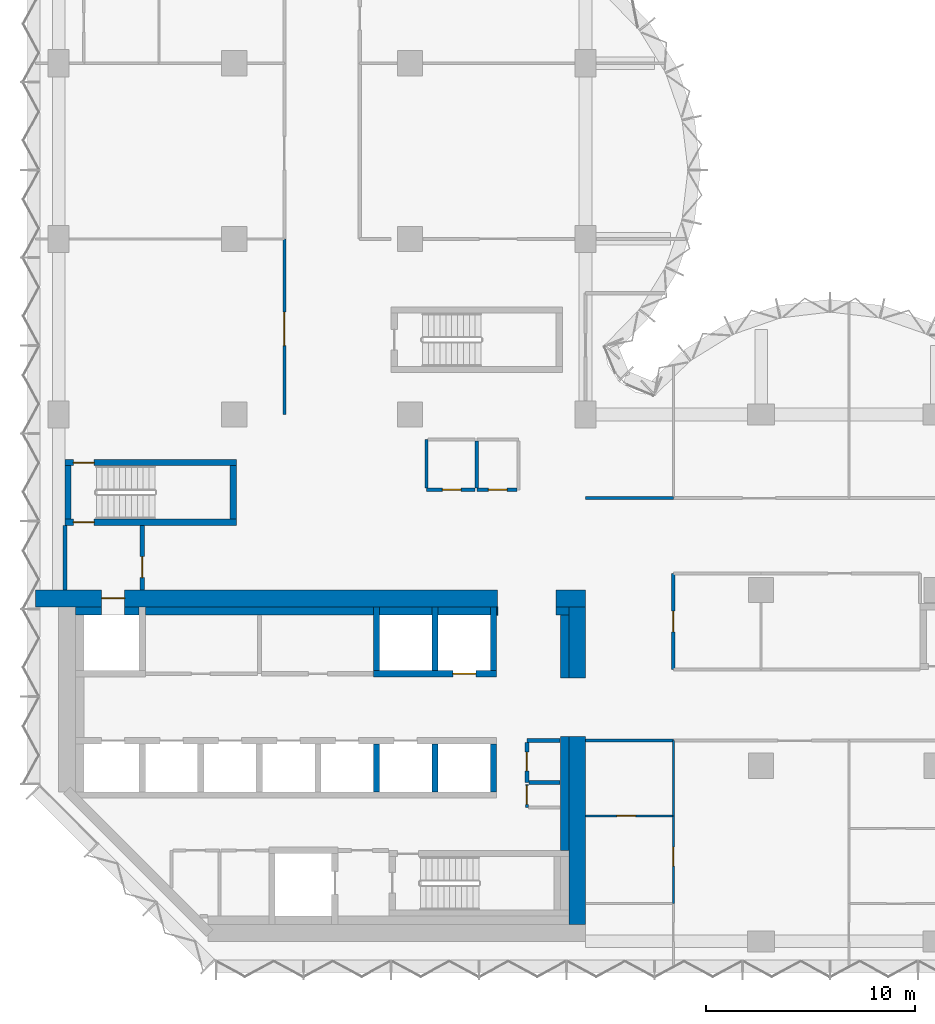
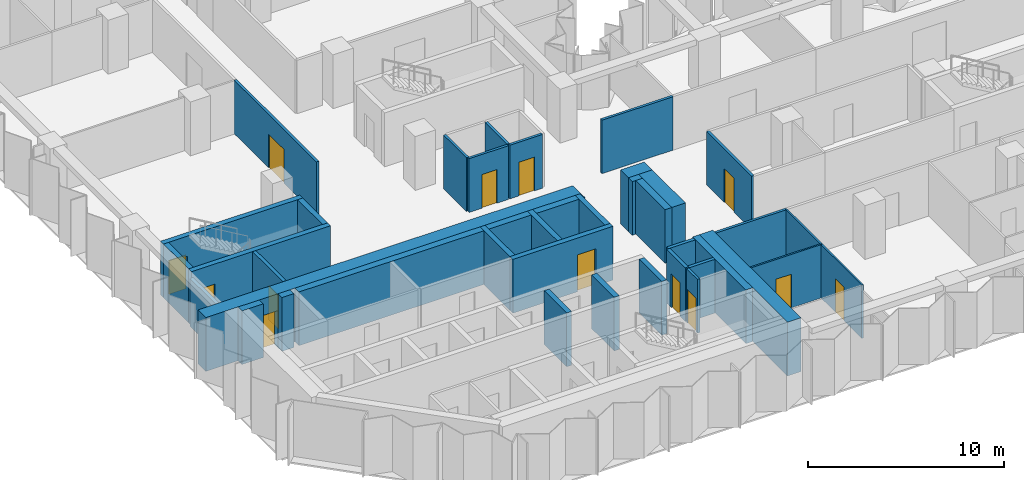
# One storey, part 8 of 13: 41 walls, 13 doors, 13 openings.
"""IFC4 building model written with IfcOpenShell, lengths in metres."""

from ifc_helpers import new_model, si_unit, direction, frame, frame_2d, origin, place, context, subcontext, project, spatial, rectangle, extrude, material, layer, layer_set, type_object, element, fill, save


model = new_model("IFC4")

# Units and contexts
model_context = context("Model", 3, precision=1e-05, world=origin(), true_north=direction((0.0, 1.0)))
body_context = subcontext(model_context, "Body", "Model", "MODEL_VIEW")
ifc_project = project(units=[si_unit("LENGTHUNIT", "METRE"), si_unit("AREAUNIT", "SQUARE_METRE"), si_unit("VOLUMEUNIT", "CUBIC_METRE"), si_unit("PLANEANGLEUNIT", "RADIAN"), si_unit("MASSUNIT", "GRAM", prefix="KILO")], contexts=[model_context])

# Site, building, storey
site_placement = place(None, origin())
site = spatial("IfcSite", under=ifc_project, at=site_placement, CompositionType="ELEMENT")
building_placement = place(site_placement, origin())
building = spatial("IfcBuilding", under=site, at=building_placement, Name="Brevane Broadcast Tower", CompositionType="ELEMENT")
storey_placement = place(building_placement, frame((0.0, 0.0, 106.10009765625)))
storey = spatial("IfcBuildingStorey", under=building, at=storey_placement, Name="L25", CompositionType="ELEMENT", Elevation=106.10009765625)

# Walls
ifc_material_1 = material(Name="Concrete C32/40", Category="concrete")
ifc_layer_1 = layer(ifc_material_1, 0.39990234375)
ifc_layer_set_1 = layer_set([ifc_layer_1], Name="Core chase wall 400 mm")
wall_type_1 = type_object("IfcWallType", Name="Core chase wall 400 mm", PredefinedType="PARTITIONING", material=ifc_layer_set_1)
wall_1_placement = place(storey_placement, frame((24.199951171875, 12.60009765625, 0.0), z_axis=(0.0, 0.0, 1.0), x_axis=(0.0, 1.0, 0.0)))
element("IfcWall", 1, at=wall_1_placement, inside=storey, type_object=wall_type_1, Name="L25 chase wall LE2", PredefinedType="PARTITIONING", context=body_context, shape_type="SweptSolid", body=[
    extrude(rectangle(XDim=3.0, YDim=0.39990234375, at=frame_2d((1.5, 0.0))), origin(), (0.0, 0.0, 1.0), 3.349853515625),
])
wall_2_placement = place(storey_placement, frame((0.800048828125, 15.800048828125, 0.0), z_axis=(0.0, 0.0, 1.0), x_axis=(1.0, 0.0, 0.0)))
element("IfcWall", 2, at=wall_2_placement, inside=storey, type_object=wall_type_1, Name="L25 chase wall LN0", PredefinedType="PARTITIONING", context=body_context, shape_type="SweptSolid", body=[
    extrude(rectangle(XDim=1.25, YDim=0.39990234375, at=frame_2d((0.625, 0.0))), origin(), (0.0, 0.0, 1.0), 3.349853515625),
])
wall_3_placement = place(storey_placement, frame((23.800048828125, 15.800048828125, 0.0), z_axis=(0.0, 0.0, 1.0), x_axis=(1.0, 0.0, 0.0)))
element("IfcWall", 3, at=wall_3_placement, inside=storey, type_object=wall_type_1, Name="L25 chase wall LN2", PredefinedType="PARTITIONING", context=body_context, shape_type="SweptSolid", body=[
    extrude(rectangle(XDim=0.599853515625, YDim=0.39990234375, at=frame_2d((0.2998046875, 0.0))), origin(), (0.0, 0.0, 1.0), 3.349853515625),
])
wall_4_placement = place(storey_placement, frame((3.14990234375, 15.800048828125, 0.0), z_axis=(0.0, 0.0, 1.0), x_axis=(1.0, 0.0, 0.0)))
element("IfcWall", 4, at=wall_4_placement, inside=storey, type_object=wall_type_1, Name="L25 chase wall LN1-1", PredefinedType="PARTITIONING", context=body_context, shape_type="SweptSolid", body=[
    extrude(rectangle(XDim=0.7001953125, YDim=0.39990234375, at=frame_2d((0.35009765625, 0.0))), origin(), (0.0, 0.0, 1.0), 3.349853515625),
])
wall_5_placement = place(storey_placement, frame((4.14990234375, 15.800048828125, 0.0), z_axis=(0.0, 0.0, 1.0), x_axis=(1.0, 0.0, 0.0)))
element("IfcWall", 5, at=wall_5_placement, inside=storey, type_object=wall_type_1, Name="L25 chase wall LN1-2-1", PredefinedType="PARTITIONING", context=body_context, shape_type="SweptSolid", body=[
    extrude(rectangle(XDim=10.900146484375, YDim=0.39990234375, at=frame_2d((5.4501953125, 0.0))), origin(), (0.0, 0.0, 1.0), 3.349853515625),
])
for number, where, z_axis, x_axis, name in (
    (6, (15.35009765625, 15.800048828125, 0.0), (0.0, 0.0, 1.0), (1.0, 0.0, 0.0), "L25 chase wall LN1-2-2-1"),
    (7, (18.14990234375, 15.800048828125, 0.0), (0.0, 0.0, 1.0), (1.0, 0.0, 0.0), "L25 chase wall LN1-2-2-2-1"),
):
    element("IfcWall", number, at=place(storey_placement, frame(where, z_axis=z_axis, x_axis=x_axis)), inside=storey, type_object=wall_type_1, Name=name, PredefinedType="PARTITIONING", context=body_context, shape_type="SweptSolid", body=[
        extrude(rectangle(XDim=2.5, YDim=0.39990234375, at=frame_2d((1.25, 0.0))), origin(), (0.0, 0.0, 1.0), 3.349853515625),
    ])
wall_6_placement = place(storey_placement, frame((20.949951171875, 15.800048828125, 0.0), z_axis=(0.0, 0.0, 1.0), x_axis=(1.0, 0.0, 0.0)))
element("IfcWall", 8, at=wall_6_placement, inside=storey, type_object=wall_type_1, Name="L25 chase wall LN1-2-2-2-2", PredefinedType="PARTITIONING", context=body_context, shape_type="SweptSolid", body=[
    extrude(rectangle(XDim=0.050048828125, YDim=0.39990234375, at=frame_2d((0.02490234375, 0.0))), origin(), (0.0, 0.0, 1.0), 3.349853515625),
])
wall_7_placement = place(storey_placement, frame((24.199951171875, 4.35009765625, 0.0), z_axis=(0.0, 0.0, 1.0), x_axis=(0.0, 1.0, 0.0)))
element("IfcWall", 9, at=wall_7_placement, inside=storey, type_object=wall_type_1, Name="L25 chase wall LE1-2-2", PredefinedType="PARTITIONING", context=body_context, shape_type="SweptSolid", body=[
    extrude(rectangle(XDim=5.449951171875, YDim=0.39990234375, at=frame_2d((2.72509765625, 0.0))), origin(), (0.0, 0.0, 1.0), 3.349853515625),
])

# Wall, opening, door
ifc_material_2 = material(Name="Gypsum board on steel studs", Category="steel")
ifc_layer_2 = layer(ifc_material_2, 0.14990234375)
ifc_layer_set_2 = layer_set([ifc_layer_2], Name="Core fire partition 150 mm")
wall_type_2 = type_object("IfcWallType", Name="Core fire partition 150 mm", PredefinedType="PARTITIONING", material=ifc_layer_set_2)
wall_8_placement = place(storey_placement, frame((21.925048828125, 21.60009765625, 0.0), z_axis=(0.0, 0.0, 1.0), x_axis=(-1.0, 0.0, 0.0)))
wall_8 = element("IfcWall", 10, at=wall_8_placement, inside=storey, type_object=wall_type_2, Name="L25 partition wall P17", PredefinedType="PARTITIONING", context=body_context, shape_type="SweptSolid", body=[
    extrude(rectangle(XDim=1.925048828125, YDim=0.14990234375, at=frame_2d((0.96240234375, 0.0))), origin(), (0.0, 0.0, 1.0), 3.349853515625),
])
opening_1_placement = place(wall_8_placement, frame((0.47509765625, 0.0, 0.0)))
opening_1 = element("IfcOpeningElement", 11, at=opening_1_placement, cuts=wall_8, Name="Opening L25-K24", PredefinedType="OPENING", context=body_context, shape_type="SweptSolid", body=[
    extrude(rectangle(XDim=0.89990234375, YDim=2.10009765625, at=frame_2d((0.449951171875, 1.050048828125))), frame((0.0, 0.0849609375, 0.0), z_axis=(0.0, -1.0, 0.0), x_axis=(1.0, 0.0, 0.0)), (0.0, 0.0, 1.0), 0.169921875),
])
ifc_material_3 = material(Name="Timber", Category="wood")
door_type_1 = type_object("IfcDoorType", Name="Toilet door 900 x 2100", OperationType="SINGLE_SWING_LEFT", PredefinedType="DOOR", material=ifc_material_3)
door_1_placement = place(opening_1_placement, origin())
door_1 = element("IfcDoor", 12, at=door_1_placement, inside=storey, type_object=door_type_1, Name="Door L25-K24", OperationType="SINGLE_SWING_RIGHT", OverallHeight=2.10009765625, OverallWidth=0.89990234375, PredefinedType="DOOR", context=body_context, shape_type="SweptSolid", body=[
    extrude(rectangle(XDim=0.89990234375, YDim=2.10009765625, at=frame_2d((0.449951171875, 1.050048828125))), frame((0.0, 0.02490234375, 0.0), z_axis=(0.0, -1.0, 0.0), x_axis=(1.0, 0.0, 0.0)), (0.0, 0.0, 1.0), 0.050048828125),
])
fill(opening_1, door_1)

# Wall
wall_9_placement = place(storey_placement, frame((20.0, 21.675048828125, 0.0), z_axis=(0.0, 0.0, 1.0), x_axis=(0.0, 1.0, 0.0)))
element("IfcWall", 13, at=wall_9_placement, inside=storey, type_object=wall_type_2, Name="L25 partition wall P18", PredefinedType="PARTITIONING", context=body_context, shape_type="SweptSolid", body=[
    extrude(rectangle(XDim=2.25, YDim=0.14990234375, at=frame_2d((1.125, 0.0))), origin(), (0.0, 0.0, 1.0), 3.349853515625),
])

# Wall, opening, door
wall_10_placement = place(storey_placement, frame((19.925048828125, 21.60009765625, 0.0), z_axis=(0.0, 0.0, 1.0), x_axis=(-1.0, 0.0, 0.0)))
wall_10 = element("IfcWall", 14, at=wall_10_placement, inside=storey, type_object=wall_type_2, Name="L25 partition wall P19", PredefinedType="PARTITIONING", context=body_context, shape_type="SweptSolid", body=[
    extrude(rectangle(XDim=2.324951171875, YDim=0.14990234375, at=frame_2d((1.16259765625, 0.0))), origin(), (0.0, 0.0, 1.0), 3.349853515625),
])
opening_2_placement = place(wall_10_placement, frame((0.675048828125, 0.0, 0.0)))
opening_2 = element("IfcOpeningElement", 15, at=opening_2_placement, cuts=wall_10, Name="Opening L25-K25", PredefinedType="OPENING", context=body_context, shape_type="SweptSolid", body=[
    extrude(rectangle(XDim=0.89990234375, YDim=2.10009765625, at=frame_2d((0.449951171875, 1.050048828125))), frame((0.0, 0.0849609375, 0.0), z_axis=(0.0, -1.0, 0.0), x_axis=(1.0, 0.0, 0.0)), (0.0, 0.0, 1.0), 0.169921875),
])
ifc_material_4 = material(Name="Steel", Category="steel")
door_type_2 = type_object("IfcDoorType", Name="Service room door 900 x 2100", OperationType="SINGLE_SWING_LEFT", PredefinedType="DOOR", material=ifc_material_4)
door_2_placement = place(opening_2_placement, origin())
door_2 = element("IfcDoor", 16, at=door_2_placement, inside=storey, type_object=door_type_2, Name="Door L25-K25", OperationType="SINGLE_SWING_LEFT", OverallHeight=2.10009765625, OverallWidth=0.89990234375, PredefinedType="DOOR", context=body_context, shape_type="SweptSolid", body=[
    extrude(rectangle(XDim=0.89990234375, YDim=2.10009765625, at=frame_2d((0.449951171875, 1.050048828125))), frame((0.0, 0.02490234375, 0.0), z_axis=(0.0, -1.0, 0.0), x_axis=(1.0, 0.0, 0.0)), (0.0, 0.0, 1.0), 0.050048828125),
])
fill(opening_2, door_2)

# Wall
wall_11_placement = place(storey_placement, frame((17.60009765625, 21.675048828125, 0.0), z_axis=(0.0, 0.0, 1.0), x_axis=(0.0, 1.0, 0.0)))
element("IfcWall", 17, at=wall_11_placement, inside=storey, type_object=wall_type_2, Name="L25 partition wall P20", PredefinedType="PARTITIONING", context=body_context, shape_type="SweptSolid", body=[
    extrude(rectangle(XDim=2.324951171875, YDim=0.14990234375, at=frame_2d((1.16259765625, 0.0))), origin(), (0.0, 0.0, 1.0), 3.349853515625),
])

# Wall, opening, door
wall_12_placement = place(storey_placement, frame((22.39990234375, 7.5, 0.0), z_axis=(0.0, 0.0, 1.0), x_axis=(0.0, -1.0, 0.0)))
wall_12 = element("IfcWall", 18, at=wall_12_placement, inside=storey, type_object=wall_type_2, Name="L25 partition wall P22", PredefinedType="PARTITIONING", context=body_context, shape_type="SweptSolid", body=[
    extrude(rectangle(XDim=1.10009765625, YDim=0.14990234375, at=frame_2d((0.550048828125, 0.0))), origin(), (0.0, 0.0, 1.0), 3.349853515625),
])
opening_3_placement = place(wall_12_placement, frame((0.050048828125, 0.0, 0.0)))
opening_3 = element("IfcOpeningElement", 19, at=opening_3_placement, cuts=wall_12, Name="Opening L25-K19", PredefinedType="OPENING", context=body_context, shape_type="SweptSolid", body=[
    extrude(rectangle(XDim=0.89990234375, YDim=2.10009765625, at=frame_2d((0.449951171875, 1.050048828125))), frame((0.0, 0.0849609375, 0.0), z_axis=(0.0, -1.0, 0.0), x_axis=(1.0, 0.0, 0.0)), (0.0, 0.0, 1.0), 0.169921875),
])
door_3_placement = place(opening_3_placement, origin())
door_3 = element("IfcDoor", 20, at=door_3_placement, inside=storey, type_object=door_type_2, Name="Door L25-K19", OperationType="SINGLE_SWING_LEFT", OverallHeight=2.10009765625, OverallWidth=0.89990234375, PredefinedType="DOOR", context=body_context, shape_type="SweptSolid", body=[
    extrude(rectangle(XDim=0.89990234375, YDim=2.10009765625, at=frame_2d((0.449951171875, 1.050048828125))), frame((0.0, 0.02490234375, 0.0), z_axis=(0.0, -1.0, 0.0), x_axis=(1.0, 0.0, 0.0)), (0.0, 0.0, 1.0), 0.050048828125),
])
fill(opening_3, door_3)

# Wall
ifc_layer_3 = layer(ifc_material_2, 0.199951171875)
ifc_layer_set_3 = layer_set([ifc_layer_3], Name="Core fire partition 200 mm")
wall_type_3 = type_object("IfcWallType", Name="Core fire partition 200 mm", PredefinedType="PARTITIONING", material=ifc_layer_set_3)
wall_13_placement = place(storey_placement, frame((0.300048828125, 16.81201171875, 0.0), z_axis=(0.0, 0.0, 1.0), x_axis=(0.0, 1.0, 0.0)))
element("IfcWall", 21, at=wall_13_placement, inside=storey, type_object=wall_type_3, Name="L25 partition wall P01", PredefinedType="PARTITIONING", context=body_context, shape_type="SweptSolid", body=[
    extrude(rectangle(XDim=3.075927734375, YDim=0.199951171875, at=frame_2d((1.5380859375, 0.0))), origin(), (0.0, 0.0, 1.0), 2.97998046875),
])

# Wall, opening, door
wall_14_placement = place(storey_placement, frame((4.0, 19.887939453125, 0.0), z_axis=(0.0, 0.0, 1.0), x_axis=(0.0, -1.0, 0.0)))
wall_14 = element("IfcWall", 22, at=wall_14_placement, inside=storey, type_object=wall_type_3, Name="L25 partition wall P02", PredefinedType="PARTITIONING", context=body_context, shape_type="SweptSolid", body=[
    extrude(rectangle(XDim=3.075927734375, YDim=0.199951171875, at=frame_2d((1.5380859375, 0.0))), origin(), (0.0, 0.0, 1.0), 3.349853515625),
])
opening_4_placement = place(wall_14_placement, frame((1.488037109375, 0.0, 0.0)))
opening_4 = element("IfcOpeningElement", 23, at=opening_4_placement, cuts=wall_14, Name="Opening L25-K23", PredefinedType="OPENING", context=body_context, shape_type="SweptSolid", body=[
    extrude(rectangle(XDim=1.0, YDim=2.10009765625, at=frame_2d((0.5, 1.050048828125))), frame((0.0, 0.10986328125, 0.0), z_axis=(0.0, -1.0, 0.0), x_axis=(1.0, 0.0, 0.0)), (0.0, 0.0, 1.0), 0.219970703125),
])
door_type_3 = type_object("IfcDoorType", Name="Stair door 1000 x 2100", OperationType="SINGLE_SWING_LEFT", PredefinedType="DOOR", material=ifc_material_4)
door_4_placement = place(opening_4_placement, origin())
door_4 = element("IfcDoor", 24, at=door_4_placement, inside=storey, type_object=door_type_3, Name="Door L25-K23", OperationType="SINGLE_SWING_LEFT", OverallHeight=2.10009765625, OverallWidth=1.0, PredefinedType="DOOR", context=body_context, shape_type="SweptSolid", body=[
    extrude(rectangle(XDim=1.0, YDim=2.10009765625, at=frame_2d((0.5, 1.050048828125))), frame((0.0, 0.02490234375, 0.0), z_axis=(0.0, -1.0, 0.0), x_axis=(1.0, 0.0, 0.0)), (0.0, 0.0, 1.0), 0.050048828125),
])
fill(opening_4, door_4)

# Wall
wall_15_placement = place(storey_placement, frame((23.988037109375, 9.60009765625, 0.0), z_axis=(0.0, 0.0, 1.0), x_axis=(-1.0, 0.0, 0.0)))
element("IfcWall", 25, at=wall_15_placement, inside=storey, type_object=wall_type_3, Name="L25 partition wall P06", PredefinedType="PARTITIONING", context=body_context, shape_type="SweptSolid", body=[
    extrude(rectangle(XDim=1.588134765625, YDim=0.199951171875, at=frame_2d((0.7939453125, 0.0))), origin(), (0.0, 0.0, 1.0), 3.349853515625),
])

# Wall, opening, door
wall_16_placement = place(storey_placement, frame((22.39990234375, 9.5, 0.0), z_axis=(0.0, 0.0, 1.0), x_axis=(0.0, -1.0, 0.0)))
wall_16 = element("IfcWall", 26, at=wall_16_placement, inside=storey, type_object=wall_type_3, Name="L25 partition wall P07", PredefinedType="PARTITIONING", context=body_context, shape_type="SweptSolid", body=[
    extrude(rectangle(XDim=1.89990234375, YDim=0.199951171875, at=frame_2d((0.949951171875, 0.0))), origin(), (0.0, 0.0, 1.0), 3.349853515625),
])
opening_5_placement = place(wall_16_placement, frame((0.449951171875, 0.0, 0.0)))
opening_5 = element("IfcOpeningElement", 27, at=opening_5_placement, cuts=wall_16, Name="Opening L25-K20", PredefinedType="OPENING", context=body_context, shape_type="SweptSolid", body=[
    extrude(rectangle(XDim=0.89990234375, YDim=2.10009765625, at=frame_2d((0.449951171875, 1.050048828125))), frame((0.0, 0.10986328125, 0.0), z_axis=(0.0, -1.0, 0.0), x_axis=(1.0, 0.0, 0.0)), (0.0, 0.0, 1.0), 0.219970703125),
])
door_5_placement = place(opening_5_placement, origin())
door_5 = element("IfcDoor", 28, at=door_5_placement, inside=storey, type_object=door_type_2, Name="Door L25-K20", OperationType="SINGLE_SWING_RIGHT", OverallHeight=2.10009765625, OverallWidth=0.89990234375, PredefinedType="DOOR", context=body_context, shape_type="SweptSolid", body=[
    extrude(rectangle(XDim=0.89990234375, YDim=2.10009765625, at=frame_2d((0.449951171875, 1.050048828125))), frame((0.0, 0.02490234375, 0.0), z_axis=(0.0, -1.0, 0.0), x_axis=(1.0, 0.0, 0.0)), (0.0, 0.0, 1.0), 0.050048828125),
])
fill(opening_5, door_5)

# Walls
wall_17_placement = place(storey_placement, frame((22.5, 7.60009765625, 0.0), z_axis=(0.0, 0.0, 1.0), x_axis=(1.0, 0.0, 0.0)))
element("IfcWall", 29, at=wall_17_placement, inside=storey, type_object=wall_type_3, Name="L25 partition wall P08", PredefinedType="PARTITIONING", context=body_context, shape_type="SweptSolid", body=[
    extrude(rectangle(XDim=1.488037109375, YDim=0.199951171875, at=frame_2d((0.744140625, 0.0))), origin(), (0.0, 0.0, 1.0), 3.349853515625),
])
ifc_material_5 = material(Name="Concrete C60/75", Category="concrete")
ifc_layer_4 = layer(ifc_material_5, 0.300048828125)
ifc_layer_set_4 = layer_set([ifc_layer_4], Name="Core wall 300 mm C60/75")
wall_type_4 = type_object("IfcWallType", Name="Core wall 300 mm C60/75", PredefinedType="SHEAR", material=ifc_layer_set_4)
for number, where, z_axis, x_axis, name in (
    (30, (15.199951171875, 7.14990234375, 0.0), (0.0, 0.0, 1.0), (0.0, 1.0, 0.0), "L25 shaft wall SH-S-P152"),
    (31, (18.0, 7.14990234375, 0.0), (0.0, 0.0, 1.0), (0.0, 1.0, 0.0), "L25 shaft wall SH-S-P180"),
    (32, (20.800048828125, 7.14990234375, 0.0), (0.0, 0.0, 1.0), (0.0, 1.0, 0.0), "L25 shaft wall SH-S-P208"),
):
    element("IfcWall", number, at=place(storey_placement, frame(where, z_axis=z_axis, x_axis=x_axis)), inside=storey, type_object=wall_type_4, Name=name, PredefinedType="SHEAR", context=body_context, shape_type="SweptSolid", body=[
        extrude(rectangle(XDim=2.300048828125, YDim=0.300048828125, at=frame_2d((1.14990234375, 0.0))), origin(), (0.0, 0.0, 1.0), 3.349853515625),
    ])

# Wall, opening, door
wall_18_placement = place(storey_placement, frame((15.050048828125, 12.800048828125, 0.0), z_axis=(0.0, 0.0, 1.0), x_axis=(1.0, 0.0, 0.0)))
wall_18 = element("IfcWall", 33, at=wall_18_placement, inside=storey, type_object=wall_type_4, Name="L25 shaft wall SH-N152-front", PredefinedType="SHEAR", context=body_context, shape_type="SweptSolid", body=[
    extrude(rectangle(XDim=5.89990234375, YDim=0.300048828125, at=frame_2d((2.949951171875, 0.0))), origin(), (0.0, 0.0, 1.0), 3.349853515625),
])
opening_6_placement = place(wall_18_placement, frame((3.800048828125, 0.0, 0.0)))
opening_6 = element("IfcOpeningElement", 34, at=opening_6_placement, cuts=wall_18, Name="Opening LD", PredefinedType="OPENING", context=body_context, shape_type="SweptSolid", body=[
    extrude(rectangle(XDim=1.10009765625, YDim=2.300048828125, at=frame_2d((0.550048828125, 1.14990234375))), frame((0.0, 0.159912109375, 0.0), z_axis=(0.0, -1.0, 0.0), x_axis=(1.0, 0.0, 0.0)), (0.0, 0.0, 1.0), 0.320068359375),
])
ifc_material_6 = material(Name="Stainless steel", Category="steel")
door_type_4 = type_object("IfcDoorType", Name="Lift landing door", OperationType="SLIDING_TO_LEFT", PredefinedType="DOOR", material=ifc_material_6)
door_6_placement = place(opening_6_placement, origin())
door_6 = element("IfcDoor", 35, at=door_6_placement, inside=storey, type_object=door_type_4, Name="Landing door SL1 L25", OperationType="SLIDING_TO_LEFT", OverallHeight=2.300048828125, OverallWidth=1.10009765625, PredefinedType="DOOR", context=body_context, shape_type="SweptSolid", body=[
    extrude(rectangle(XDim=1.10009765625, YDim=2.300048828125, at=frame_2d((0.550048828125, 1.14990234375))), frame((0.0, 0.02490234375, 0.0), z_axis=(0.0, -1.0, 0.0), x_axis=(1.0, 0.0, 0.0)), (0.0, 0.0, 1.0), 0.050048828125),
])
fill(opening_6, door_6)

# Walls
for number, where, z_axis, x_axis, name in (
    (36, (15.199951171875, 12.949951171875, 0.0), (0.0, 0.0, 1.0), (0.0, 1.0, 0.0), "L25 shaft wall SH-N-P152"),
    (37, (18.0, 12.949951171875, 0.0), (0.0, 0.0, 1.0), (0.0, 1.0, 0.0), "L25 shaft wall SH-N-P180"),
    (38, (20.800048828125, 12.949951171875, 0.0), (0.0, 0.0, 1.0), (0.0, 1.0, 0.0), "L25 shaft wall SH-N-P208"),
):
    element("IfcWall", number, at=place(storey_placement, frame(where, z_axis=z_axis, x_axis=x_axis)), inside=storey, type_object=wall_type_4, Name=name, PredefinedType="SHEAR", context=body_context, shape_type="SweptSolid", body=[
        extrude(rectangle(XDim=3.050048828125, YDim=0.300048828125, at=frame_2d((1.52490234375, 0.0))), origin(), (0.0, 0.0, 1.0), 3.349853515625),
    ])

# Wall, opening, door
wall_19_placement = place(storey_placement, frame((8.5, 20.050048828125, 0.0), z_axis=(0.0, 0.0, 1.0), x_axis=(-1.0, 0.0, 0.0)))
wall_19 = element("IfcWall", 39, at=wall_19_placement, inside=storey, type_object=wall_type_4, Name="L25 stair wall ST-1-S", PredefinedType="SHEAR", context=body_context, shape_type="SweptSolid", body=[
    extrude(rectangle(XDim=8.199951171875, YDim=0.300048828125, at=frame_2d((4.10009765625, 0.0))), origin(), (0.0, 0.0, 1.0), 3.349853515625),
])
opening_7_placement = place(wall_19_placement, frame((6.800048828125, 0.0, 0.0)))
opening_7 = element("IfcOpeningElement", 40, at=opening_7_placement, cuts=wall_19, Name="Opening L25-K10", PredefinedType="OPENING", context=body_context, shape_type="SweptSolid", body=[
    extrude(rectangle(XDim=1.0, YDim=2.10009765625, at=frame_2d((0.5, 1.050048828125))), frame((0.0, 0.159912109375, 0.0), z_axis=(0.0, -1.0, 0.0), x_axis=(1.0, 0.0, 0.0)), (0.0, 0.0, 1.0), 0.320068359375),
])
door_7_placement = place(opening_7_placement, origin())
door_7 = element("IfcDoor", 41, at=door_7_placement, inside=storey, type_object=door_type_3, Name="Door L25-K10", OperationType="SINGLE_SWING_RIGHT", OverallHeight=2.10009765625, OverallWidth=1.0, PredefinedType="DOOR", context=body_context, shape_type="SweptSolid", body=[
    extrude(rectangle(XDim=1.0, YDim=2.10009765625, at=frame_2d((0.5, 1.050048828125))), frame((0.0, 0.02490234375, 0.0), z_axis=(0.0, -1.0, 0.0), x_axis=(1.0, 0.0, 0.0)), (0.0, 0.0, 1.0), 0.050048828125),
])
fill(opening_7, door_7)

wall_20_placement = place(storey_placement, frame((0.300048828125, 22.89990234375, 0.0), z_axis=(0.0, 0.0, 1.0), x_axis=(1.0, 0.0, 0.0)))
wall_20 = element("IfcWall", 42, at=wall_20_placement, inside=storey, type_object=wall_type_4, Name="L25 stair wall ST-1-N", PredefinedType="SHEAR", context=body_context, shape_type="SweptSolid", body=[
    extrude(rectangle(XDim=8.199951171875, YDim=0.300048828125, at=frame_2d((4.10009765625, 0.0))), origin(), (0.0, 0.0, 1.0), 3.349853515625),
])
opening_8_placement = place(wall_20_placement, frame((0.39990234375, 0.0, 0.0)))
opening_8 = element("IfcOpeningElement", 43, at=opening_8_placement, cuts=wall_20, Name="Opening L25-K11", PredefinedType="OPENING", context=body_context, shape_type="SweptSolid", body=[
    extrude(rectangle(XDim=1.0, YDim=2.10009765625, at=frame_2d((0.5, 1.050048828125))), frame((0.0, 0.159912109375, 0.0), z_axis=(0.0, -1.0, 0.0), x_axis=(1.0, 0.0, 0.0)), (0.0, 0.0, 1.0), 0.320068359375),
])
door_8_placement = place(opening_8_placement, origin())
door_8 = element("IfcDoor", 44, at=door_8_placement, inside=storey, type_object=door_type_3, Name="Door L25-K11", OperationType="SINGLE_SWING_LEFT", OverallHeight=2.10009765625, OverallWidth=1.0, PredefinedType="DOOR", context=body_context, shape_type="SweptSolid", body=[
    extrude(rectangle(XDim=1.0, YDim=2.10009765625, at=frame_2d((0.5, 1.050048828125))), frame((0.0, 0.02490234375, 0.0), z_axis=(0.0, -1.0, 0.0), x_axis=(1.0, 0.0, 0.0)), (0.0, 0.0, 1.0), 0.050048828125),
])
fill(opening_8, door_8)

# Walls
for number, where, z_axis, x_axis, name in (
    (45, (0.449951171875, 20.199951171875, 0.0), (0.0, 0.0, 1.0), (0.0, 1.0, 0.0), "L25 stair wall ST-1-W"),
    (46, (8.35009765625, 20.199951171875, 0.0), (0.0, 0.0, 1.0), (0.0, 1.0, 0.0), "L25 stair wall ST-1-E"),
):
    element("IfcWall", number, at=place(storey_placement, frame(where, z_axis=z_axis, x_axis=x_axis)), inside=storey, type_object=wall_type_4, Name=name, PredefinedType="SHEAR", context=body_context, shape_type="SweptSolid", body=[
        extrude(rectangle(XDim=2.550048828125, YDim=0.300048828125, at=frame_2d((1.27490234375, 0.0))), origin(), (0.0, 0.0, 1.0), 3.349853515625),
    ])

# Wall, opening, door
ifc_layer_5 = layer(ifc_material_5, 0.800048828125)
ifc_layer_set_5 = layer_set([ifc_layer_5], Name="Core wall 800 mm C60/75")
wall_type_5 = type_object("IfcWallType", Name="Core wall 800 mm C60/75", PredefinedType="SHEAR", material=ifc_layer_set_5)
wall_21_placement = place(storey_placement, frame((-1.10009765625, 16.39990234375, 0.0), z_axis=(0.0, 0.0, 1.0), x_axis=(1.0, 0.0, 0.0)))
wall_21 = element("IfcWall", 47, at=wall_21_placement, inside=storey, type_object=wall_type_5, Name="L25 outer wall WN1", PredefinedType="SHEAR", context=body_context, shape_type="SweptSolid", body=[
    extrude(rectangle(XDim=22.10009765625, YDim=0.800048828125, at=frame_2d((11.050048828125, 0.0))), origin(), (0.0, 0.0, 1.0), 3.349853515625),
])
opening_9_placement = place(wall_21_placement, frame((3.14990234375, 0.0, 0.0)))
opening_9 = element("IfcOpeningElement", 48, at=opening_9_placement, cuts=wall_21, Name="Opening LD", PredefinedType="OPENING", context=body_context, shape_type="SweptSolid", body=[
    extrude(rectangle(XDim=1.10009765625, YDim=2.300048828125, at=frame_2d((0.550048828125, 1.14990234375))), frame((0.0, 0.409912109375, 0.0), z_axis=(0.0, -1.0, 0.0), x_axis=(1.0, 0.0, 0.0)), (0.0, 0.0, 1.0), 0.820068359375),
])
door_9_placement = place(opening_9_placement, origin())
door_9 = element("IfcDoor", 49, at=door_9_placement, inside=storey, type_object=door_type_4, Name="Landing door FF1 L25", OperationType="SLIDING_TO_LEFT", OverallHeight=2.300048828125, OverallWidth=1.10009765625, PredefinedType="DOOR", context=body_context, shape_type="SweptSolid", body=[
    extrude(rectangle(XDim=1.10009765625, YDim=2.300048828125, at=frame_2d((0.550048828125, 1.14990234375))), frame((0.0, 0.02490234375, 0.0), z_axis=(0.0, -1.0, 0.0), x_axis=(1.0, 0.0, 0.0)), (0.0, 0.0, 1.0), 0.050048828125),
])
fill(opening_9, door_9)

# Walls
wall_22_placement = place(storey_placement, frame((23.800048828125, 16.39990234375, 0.0), z_axis=(0.0, 0.0, 1.0), x_axis=(1.0, 0.0, 0.0)))
element("IfcWall", 50, at=wall_22_placement, inside=storey, type_object=wall_type_5, Name="L25 outer wall WN2", PredefinedType="SHEAR", context=body_context, shape_type="SweptSolid", body=[
    extrude(rectangle(XDim=1.39990234375, YDim=0.800048828125, at=frame_2d((0.699951171875, 0.0))), origin(), (0.0, 0.0, 1.0), 3.349853515625),
])
wall_23_placement = place(storey_placement, frame((24.800048828125, 0.800048828125, 0.0), z_axis=(0.0, 0.0, 1.0), x_axis=(0.0, 1.0, 0.0)))
element("IfcWall", 51, at=wall_23_placement, inside=storey, type_object=wall_type_5, Name="L25 outer wall WE1", PredefinedType="SHEAR", context=body_context, shape_type="SweptSolid", body=[
    extrude(rectangle(XDim=9.0, YDim=0.800048828125, at=frame_2d((4.5, 0.0))), origin(), (0.0, 0.0, 1.0), 3.349853515625),
])
wall_24_placement = place(storey_placement, frame((24.800048828125, 12.60009765625, 0.0), z_axis=(0.0, 0.0, 1.0), x_axis=(0.0, 1.0, 0.0)))
element("IfcWall", 52, at=wall_24_placement, inside=storey, type_object=wall_type_5, Name="L25 outer wall WE2", PredefinedType="SHEAR", context=body_context, shape_type="SweptSolid", body=[
    extrude(rectangle(XDim=3.39990234375, YDim=0.800048828125, at=frame_2d((1.699951171875, 0.0))), origin(), (0.0, 0.0, 1.0), 3.349853515625),
])

# Wall, opening, door
ifc_material_7 = material(Name="Gypsum board partition")
ifc_layer_6 = layer(ifc_material_7, 0.10009765625)
ifc_layer_set_6 = layer_set([ifc_layer_6], Name="PARTITION 100 STUD")
wall_type_6 = type_object("IfcWallType", Name="PARTITION 100 STUD", PredefinedType="PARTITIONING", material=ifc_layer_set_6)
wall_25_placement = place(storey_placement, frame((29.39990234375, 1.800048828125, 0.0), z_axis=(0.0, 0.0, 1.0), x_axis=(0.0, 1.0, 0.0)))
wall_25 = element("IfcWall", 53, at=wall_25_placement, inside=storey, type_object=wall_type_6, Name="Partition G07-032", PredefinedType="PARTITIONING", context=body_context, shape_type="SweptSolid", body=[
    extrude(rectangle(XDim=4.199951171875, YDim=0.10009765625, at=frame_2d((2.10009765625, 0.0))), origin(), (0.0, 0.0, 1.0), 3.329833984375),
])
opening_10_placement = place(wall_25_placement, frame((1.800048828125, 0.0, 0.0)))
opening_10 = element("IfcOpeningElement", 54, at=opening_10_placement, cuts=wall_25, Name="Opening D14-011", PredefinedType="OPENING", context=body_context, shape_type="SweptSolid", body=[
    extrude(rectangle(XDim=0.89990234375, YDim=2.10009765625, at=frame_2d((0.449951171875, 1.050048828125))), frame((0.0, 0.06005859375, 0.0), z_axis=(0.0, -1.0, 0.0), x_axis=(1.0, 0.0, 0.0)), (0.0, 0.0, 1.0), 0.1201171875),
])
ifc_material_8 = material(Name="Timber door leaf", Category="wood")
door_type_5 = type_object("IfcDoorType", Name="DOOR SINGLE 900 INTERNAL", OperationType="SINGLE_SWING_LEFT", PredefinedType="DOOR", material=ifc_material_8)
door_10_placement = place(opening_10_placement, origin())
door_10 = element("IfcDoor", 55, at=door_10_placement, inside=storey, type_object=door_type_5, Name="Door D14-011", OperationType="SINGLE_SWING_LEFT", OverallHeight=2.10009765625, OverallWidth=0.89990234375, PredefinedType="DOOR", context=body_context, shape_type="SweptSolid", body=[
    extrude(rectangle(XDim=0.89990234375, YDim=2.10009765625, at=frame_2d((0.449951171875, 1.050048828125))), frame((0.0, 0.02490234375, 0.0), z_axis=(0.0, -1.0, 0.0), x_axis=(1.0, 0.0, 0.0)), (0.0, 0.0, 1.0), 0.050048828125),
])
fill(opening_10, door_10)

# Wall
wall_26_placement = place(storey_placement, frame((29.39990234375, 6.0, 0.0), z_axis=(0.0, 0.0, 1.0), x_axis=(0.0, 1.0, 0.0)))
element("IfcWall", 56, at=wall_26_placement, inside=storey, type_object=wall_type_6, Name="Partition G07-033", PredefinedType="PARTITIONING", context=body_context, shape_type="SweptSolid", body=[
    extrude(rectangle(XDim=3.60009765625, YDim=0.10009765625, at=frame_2d((1.800048828125, 0.0))), origin(), (0.0, 0.0, 1.0), 3.329833984375),
])

# Wall, opening, door
wall_27_placement = place(storey_placement, frame((25.199951171875, 6.0, 0.0), z_axis=(0.0, 0.0, 1.0), x_axis=(1.0, 0.0, 0.0)))
wall_27 = element("IfcWall", 57, at=wall_27_placement, inside=storey, type_object=wall_type_6, Name="Partition G07-042", PredefinedType="PARTITIONING", context=body_context, shape_type="SweptSolid", body=[
    extrude(rectangle(XDim=4.199951171875, YDim=0.10009765625, at=frame_2d((2.10009765625, 0.0))), origin(), (0.0, 0.0, 1.0), 3.329833984375),
])
opening_11_placement = place(wall_27_placement, frame((1.5, 0.0, 0.0)))
opening_11 = element("IfcOpeningElement", 58, at=opening_11_placement, cuts=wall_27, Name="Opening D14-012", PredefinedType="OPENING", context=body_context, shape_type="SweptSolid", body=[
    extrude(rectangle(XDim=0.89990234375, YDim=2.10009765625, at=frame_2d((0.449951171875, 1.050048828125))), frame((0.0, 0.06005859375, 0.0), z_axis=(0.0, -1.0, 0.0), x_axis=(1.0, 0.0, 0.0)), (0.0, 0.0, 1.0), 0.1201171875),
])
door_11_placement = place(opening_11_placement, origin())
door_11 = element("IfcDoor", 59, at=door_11_placement, inside=storey, type_object=door_type_5, Name="Door D14-012", OperationType="SINGLE_SWING_LEFT", OverallHeight=2.10009765625, OverallWidth=0.89990234375, PredefinedType="DOOR", context=body_context, shape_type="SweptSolid", body=[
    extrude(rectangle(XDim=0.89990234375, YDim=2.10009765625, at=frame_2d((0.449951171875, 1.050048828125))), frame((0.0, 0.02490234375, 0.0), z_axis=(0.0, -1.0, 0.0), x_axis=(1.0, 0.0, 0.0)), (0.0, 0.0, 1.0), 0.050048828125),
])
fill(opening_11, door_11)

# Wall
ifc_layer_7 = layer(ifc_material_7, 0.14990234375)
ifc_layer_set_7 = layer_set([ifc_layer_7], Name="PARTITION 150 EI 60")
wall_type_7 = type_object("IfcWallType", Name="PARTITION 150 EI 60", PredefinedType="PARTITIONING", material=ifc_layer_set_7)
wall_28_placement = place(storey_placement, frame((25.199951171875, 21.199951171875, 0.0), z_axis=(0.0, 0.0, 1.0), x_axis=(1.0, 0.0, 0.0)))
element("IfcWall", 60, at=wall_28_placement, inside=storey, type_object=wall_type_7, Name="Partition G07-001", PredefinedType="PARTITIONING", context=body_context, shape_type="SweptSolid", body=[
    extrude(rectangle(XDim=4.199951171875, YDim=0.14990234375, at=frame_2d((2.10009765625, 0.0))), origin(), (0.0, 0.0, 1.0), 3.329833984375),
])

# Wall, opening, door
wall_29_placement = place(storey_placement, frame((29.39990234375, 17.60009765625, 0.0), z_axis=(0.0, 0.0, 1.0), x_axis=(0.0, -1.0, 0.0)))
wall_29 = element("IfcWall", 61, at=wall_29_placement, inside=storey, type_object=wall_type_7, Name="Partition G07-002", PredefinedType="PARTITIONING", context=body_context, shape_type="SweptSolid", body=[
    extrude(rectangle(XDim=4.60009765625, YDim=0.14990234375, at=frame_2d((2.300048828125, 0.0))), origin(), (0.0, 0.0, 1.0), 3.329833984375),
])
opening_12_placement = place(wall_29_placement, frame((1.800048828125, 0.0, 0.0)))
opening_12 = element("IfcOpeningElement", 62, at=opening_12_placement, cuts=wall_29, Name="Opening D14-003", PredefinedType="OPENING", context=body_context, shape_type="SweptSolid", body=[
    extrude(rectangle(XDim=1.0, YDim=2.10009765625, at=frame_2d((0.5, 1.050048828125))), frame((0.0, 0.0849609375, 0.0), z_axis=(0.0, -1.0, 0.0), x_axis=(1.0, 0.0, 0.0)), (0.0, 0.0, 1.0), 0.169921875),
])
ifc_material_9 = material(Name="Fire-rated timber door leaf", Category="wood")
door_type_6 = type_object("IfcDoorType", Name="DOOR SINGLE 1000 FD30S", OperationType="SINGLE_SWING_LEFT", PredefinedType="DOOR", material=ifc_material_9)
door_12_placement = place(opening_12_placement, origin())
door_12 = element("IfcDoor", 63, at=door_12_placement, inside=storey, type_object=door_type_6, Name="Door D14-003", OperationType="SINGLE_SWING_LEFT", OverallHeight=2.10009765625, OverallWidth=1.0, PredefinedType="DOOR", context=body_context, shape_type="SweptSolid", body=[
    extrude(rectangle(XDim=1.0, YDim=2.10009765625, at=frame_2d((0.5, 1.050048828125))), frame((0.0, 0.02490234375, 0.0), z_axis=(0.0, -1.0, 0.0), x_axis=(1.0, 0.0, 0.0)), (0.0, 0.0, 1.0), 0.050048828125),
])
fill(opening_12, door_12)

# Wall
wall_30_placement = place(storey_placement, frame((29.39990234375, 9.60009765625, 0.0), z_axis=(0.0, 0.0, 1.0), x_axis=(-1.0, 0.0, 0.0)))
element("IfcWall", 64, at=wall_30_placement, inside=storey, type_object=wall_type_7, Name="Partition G07-003", PredefinedType="PARTITIONING", context=body_context, shape_type="SweptSolid", body=[
    extrude(rectangle(XDim=4.199951171875, YDim=0.14990234375, at=frame_2d((2.10009765625, 0.0))), origin(), (0.0, 0.0, 1.0), 3.329833984375),
])

# Wall, opening, door
wall_31_placement = place(storey_placement, frame((10.800048828125, 25.199951171875, 0.0), z_axis=(0.0, 0.0, 1.0), x_axis=(0.0, 1.0, 0.0)))
wall_31 = element("IfcWall", 65, at=wall_31_placement, inside=storey, type_object=wall_type_7, Name="Partition G07-048", PredefinedType="PARTITIONING", context=body_context, shape_type="SweptSolid", body=[
    extrude(rectangle(XDim=8.400146484375, YDim=0.14990234375, at=frame_2d((4.2001953125, 0.0))), origin(), (0.0, 0.0, 1.0), 3.329833984375),
])
opening_13_placement = place(wall_31_placement, frame((3.300048828125, 0.0, 0.0)))
opening_13 = element("IfcOpeningElement", 66, at=opening_13_placement, cuts=wall_31, Name="Opening D14-018", PredefinedType="OPENING", context=body_context, shape_type="SweptSolid", body=[
    extrude(rectangle(XDim=1.60009765625, YDim=2.10009765625, at=frame_2d((0.800048828125, 1.050048828125))), frame((0.0, 0.0849609375, 0.0), z_axis=(0.0, -1.0, 0.0), x_axis=(1.0, 0.0, 0.0)), (0.0, 0.0, 1.0), 0.169921875),
])
door_type_7 = type_object("IfcDoorType", Name="DOOR DOUBLE 1600 FD30S", OperationType="DOUBLE_DOOR_SINGLE_SWING", PredefinedType="DOOR", material=ifc_material_9)
door_13_placement = place(opening_13_placement, origin())
door_13 = element("IfcDoor", 67, at=door_13_placement, inside=storey, type_object=door_type_7, Name="Door D14-018", OperationType="DOUBLE_DOOR_SINGLE_SWING", OverallHeight=2.10009765625, OverallWidth=1.60009765625, PredefinedType="DOOR", context=body_context, shape_type="SweptSolid", body=[
    extrude(rectangle(XDim=1.60009765625, YDim=2.10009765625, at=frame_2d((0.800048828125, 1.050048828125))), frame((0.0, 0.02490234375, 0.0), z_axis=(0.0, -1.0, 0.0), x_axis=(1.0, 0.0, 0.0)), (0.0, 0.0, 1.0), 0.050048828125),
])
fill(opening_13, door_13)

save(model, "model.ifc")
